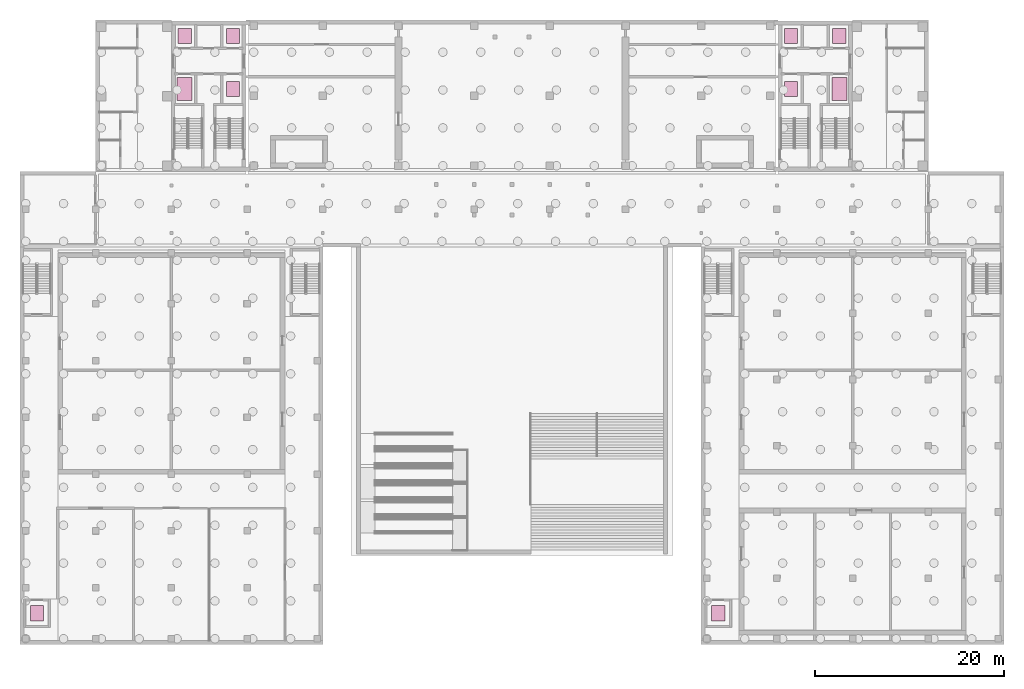
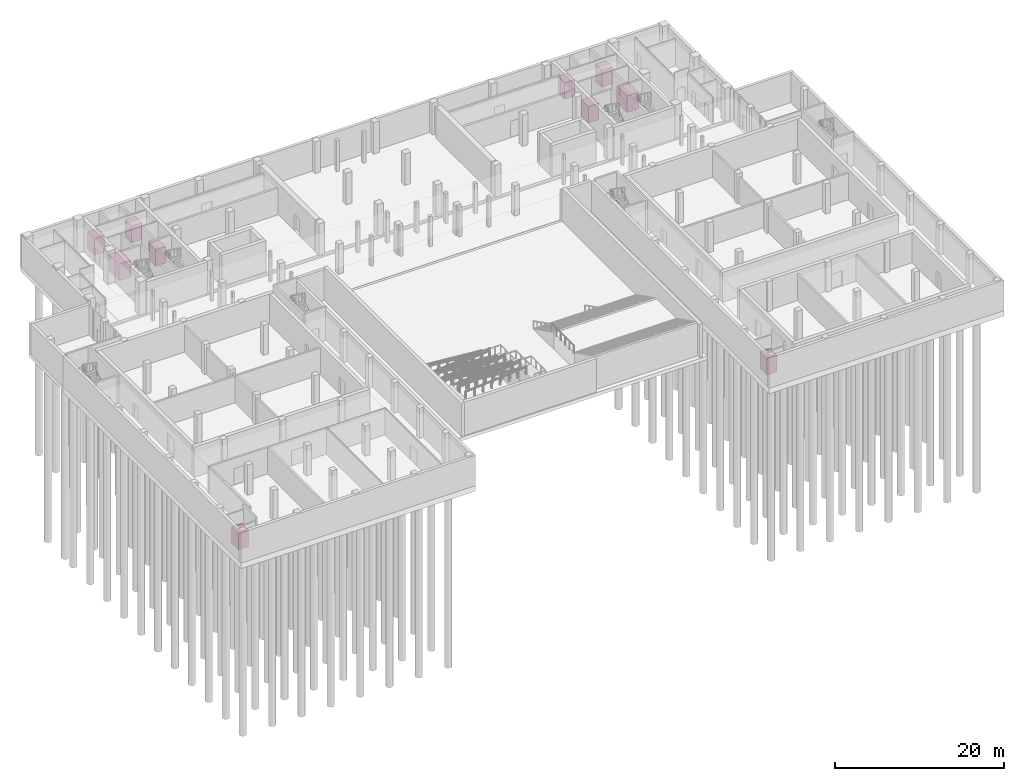
# One storey, part 21 of 21: 10 transport elements.
"""IFC4 building model written with IfcOpenShell, lengths in metres."""

from ifc_helpers import new_model, si_unit, direction, frame, origin, origin_2d, place, context, subcontext, project, spatial, rectangle, extrude, material, type_object, element, save


model = new_model("IFC4")

# Units and contexts
model_context = context("Model", 3, precision=1e-05, world=origin(), true_north=direction((0.0, 1.0)))
body_context = subcontext(model_context, "Body", "Model", "MODEL_VIEW")
ifc_project = project(units=[si_unit("LENGTHUNIT", "METRE"), si_unit("AREAUNIT", "SQUARE_METRE"), si_unit("VOLUMEUNIT", "CUBIC_METRE"), si_unit("PLANEANGLEUNIT", "RADIAN"), si_unit("MASSUNIT", "GRAM", prefix="KILO")], contexts=[model_context])

# Site, building, storey
site_placement = place(None, origin())
site = spatial("IfcSite", under=ifc_project, at=site_placement, CompositionType="ELEMENT")
building_placement = place(site_placement, origin())
building = spatial("IfcBuilding", under=site, at=building_placement, Name="Lantern Court Media Centre", CompositionType="ELEMENT")
storey_placement = place(building_placement, frame((0.0, 0.0, -4.800048828125)))
storey = spatial("IfcBuildingStorey", under=building, at=storey_placement, Name="B1", CompositionType="ELEMENT", Elevation=-4.800048828125)

# Transport elements
ifc_material = material(Name="Stainless steel", Category="steel")
transport_element_type_1 = type_object("IfcTransportElementType", Name="Firefighting lift car", PredefinedType="ELEVATOR", material=ifc_material)
for number, where, z_axis, x_axis, name in (
    (1, (17.39990234375, 56.699951171875, 0.0), (0.0, 0.0, 1.0), (1.0, 0.0, 0.0), "SW firefighting lift FF"),
    (2, (86.60009765625, 56.699951171875, 0.0), (0.0, 0.0, 1.0), (1.0, 0.0, 0.0), "SE firefighting lift FF"),
):
    element("IfcTransportElement", number, at=place(storey_placement, frame(where, z_axis=z_axis, x_axis=x_axis)), inside=storey, type_object=transport_element_type_1, Name=name, PredefinedType="ELEVATOR", context=body_context, shape_type="SweptSolid", body=[
        extrude(rectangle(XDim=1.60009765625, YDim=2.39990234375, at=origin_2d()), origin(), (0.0, 0.0, 1.0), 2.39990234375),
    ])
transport_element_type_2 = type_object("IfcTransportElementType", Name="Passenger lift car", PredefinedType="ELEVATOR", material=ifc_material)
for number, where, z_axis, x_axis, name in (
    (3, (22.5, 56.699951171875, 0.0), (0.0, 0.0, 1.0), (1.0, 0.0, 0.0), "SW passenger lift P1"),
    (4, (17.39990234375, 62.324951171875, 0.0), (0.0, 0.0, 1.0), (1.0, 0.0, 0.0), "SW passenger lift P2"),
    (5, (22.5, 62.324951171875, 0.0), (0.0, 0.0, 1.0), (1.0, 0.0, 0.0), "SW passenger lift P3"),
    (6, (81.5, 56.699951171875, 0.0), (0.0, 0.0, 1.0), (1.0, 0.0, 0.0), "SE passenger lift P1"),
    (7, (86.60009765625, 62.324951171875, 0.0), (0.0, 0.0, 1.0), (1.0, 0.0, 0.0), "SE passenger lift P2"),
    (8, (81.5, 62.324951171875, 0.0), (0.0, 0.0, 1.0), (1.0, 0.0, 0.0), "SE passenger lift P3"),
    (9, (1.800048828125, 1.300048828125, 0.0), (0.0, 0.0, 1.0), (1.0, 0.0, 0.0), "V1-LIFT passenger lift"),
    (10, (73.800048828125, 1.300048828125, 0.0), (0.0, 0.0, 1.0), (1.0, 0.0, 0.0), "V2-LIFT passenger lift"),
):
    element("IfcTransportElement", number, at=place(storey_placement, frame(where, z_axis=z_axis, x_axis=x_axis)), inside=storey, type_object=transport_element_type_2, Name=name, PredefinedType="ELEVATOR", context=body_context, shape_type="SweptSolid", body=[
        extrude(rectangle(XDim=1.39990234375, YDim=1.60009765625, at=origin_2d()), origin(), (0.0, 0.0, 1.0), 2.39990234375),
    ])

save(model, "model.ifc")
